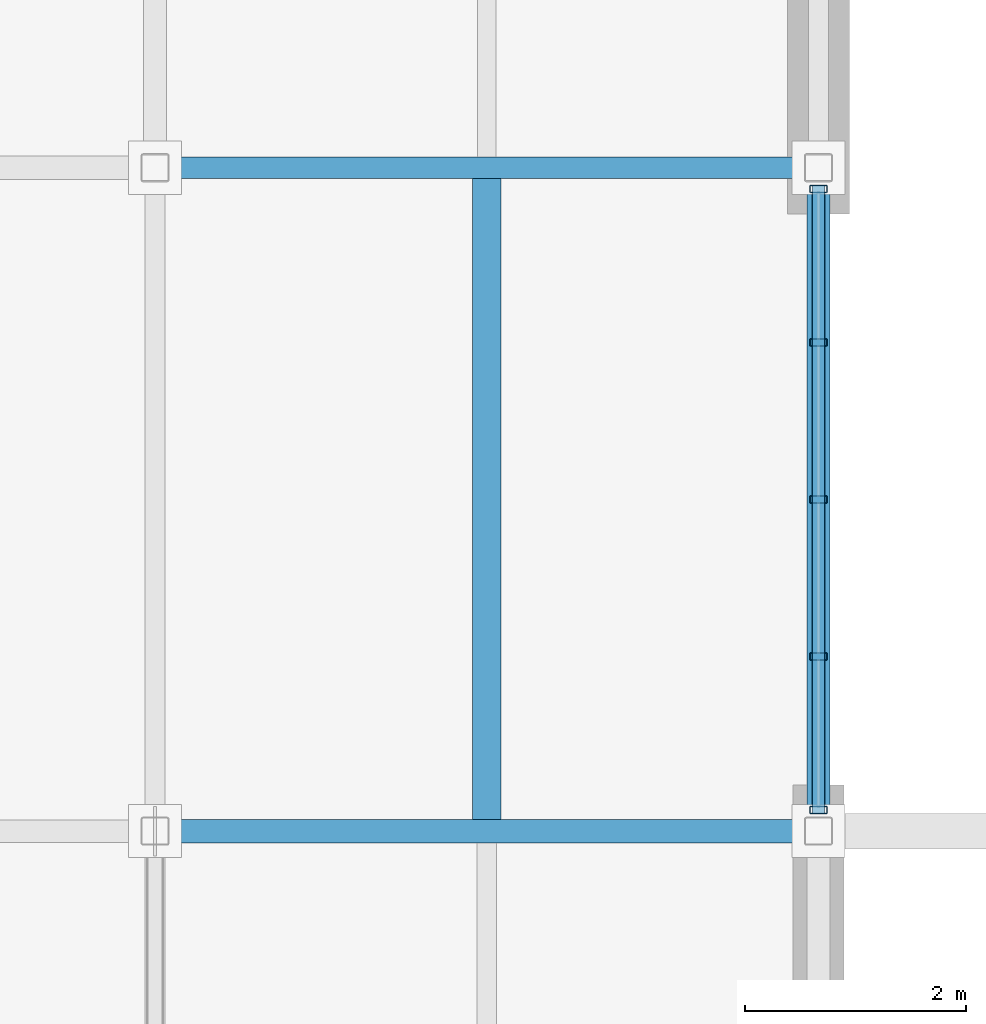
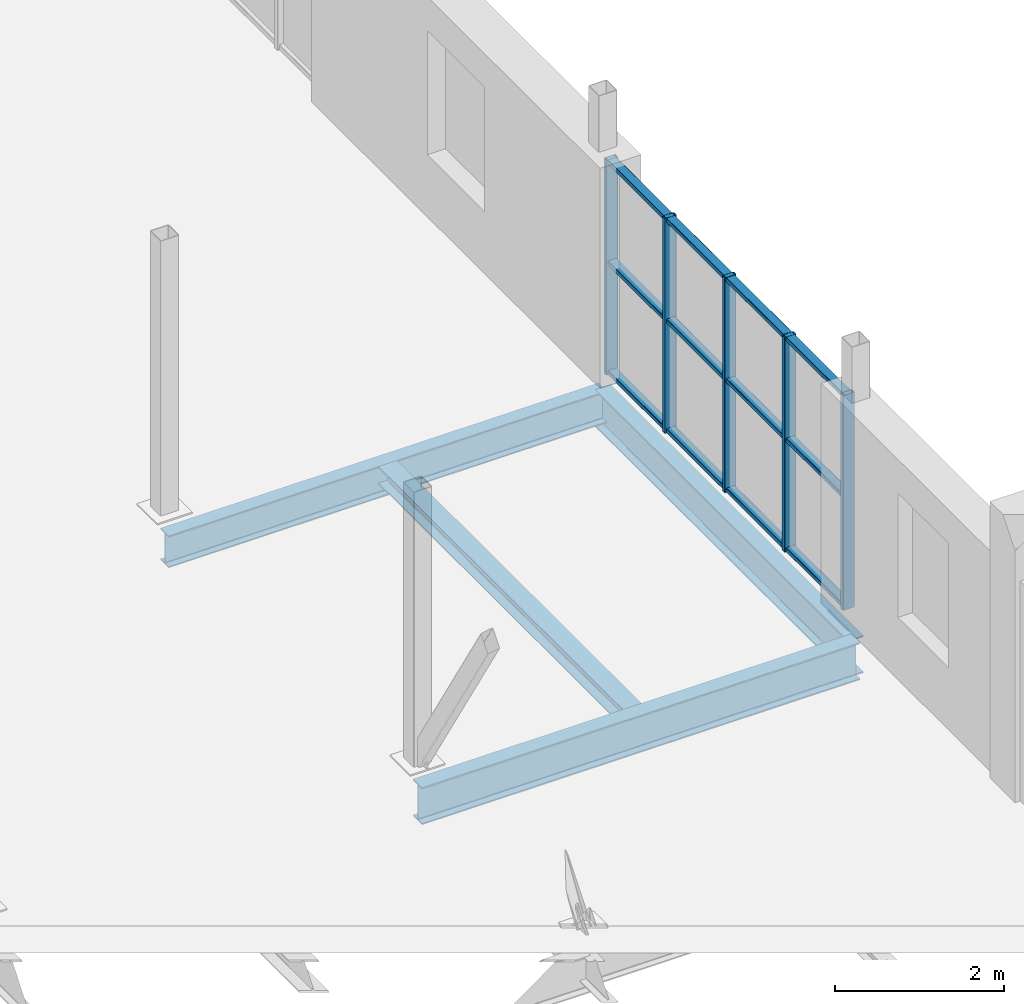
# One storey, part 25 of 96: 8 members, 4 beams, 1 element without a shape of its own.
"""IFC4 building model written with IfcOpenShell, lengths in metres."""

from ifc_helpers import new_model, si_unit, direction, frame, origin, origin_2d, place, context, subcontext, project, spatial, hollow_rectangle, i_section, extrude, material, material_profile, profile_set, type_object, element, aggregate, save


model = new_model("IFC4")

# Units and contexts
model_context = context("Model", 3, precision=1e-05, world=origin(), true_north=direction((0.0, 1.0)))
body_context = subcontext(model_context, "Body", "Model", "MODEL_VIEW")
ifc_project = project(units=[si_unit("LENGTHUNIT", "METRE"), si_unit("AREAUNIT", "SQUARE_METRE"), si_unit("VOLUMEUNIT", "CUBIC_METRE"), si_unit("PLANEANGLEUNIT", "RADIAN"), si_unit("MASSUNIT", "GRAM", prefix="KILO")], contexts=[model_context])

# Site, building, storey
site_placement = place(None, origin())
site = spatial("IfcSite", under=ifc_project, at=site_placement, CompositionType="ELEMENT")
building_placement = place(site_placement, origin())
building = spatial("IfcBuilding", under=site, at=building_placement, Name="Verrall Gate Interchange", CompositionType="ELEMENT")
storey_placement = place(building_placement, frame((0.0, 0.0, 11.39990234375)))
storey = spatial("IfcBuildingStorey", under=building, at=storey_placement, Name="L03", CompositionType="ELEMENT", Elevation=11.39990234375)

# Beams
ifc_material_1 = material(Name="Structural Steel CSA G40.21 350W", Category="steel")
ifc_material_profile_1 = material_profile(ifc_material_1, i_section(OverallWidth=0.2109375, OverallDepth=0.5390625, WebThickness=0.01171875, FlangeThickness=0.018798828125, FilletRadius=0.013916015625, at=origin_2d()), Name="W530x109")
ifc_profile_set_1 = profile_set([ifc_material_profile_1], Name="Structural Steel CSA G40.21 350W")
beam_type_1 = type_object("IfcBeamType", Name="B-10 Structural Beam W530x109", PredefinedType="BEAM", material=ifc_profile_set_1)
for number, where, z_axis, x_axis, name in (
    (1, (30.0, 16.0, -0.599365234375), (1.0, 0.0, 0.0), (0.0, 1.0, 0.0), "L03 Girder BM-L03-2030 (B-10)"),
    (2, (36.0, 16.0, -0.599365234375), (0.0, 1.0, 0.0), (-1.0, 0.0, 0.0), "L03 Girder BM-L03-2261 (B-10)"),
):
    element("IfcBeam", number, at=place(storey_placement, frame(where, z_axis=z_axis, x_axis=x_axis)), inside=storey, type_object=beam_type_1, Name=name, PredefinedType="BEAM", context=body_context, shape_type="SweptSolid", body=[
        extrude(i_section(OverallWidth=0.2109375, OverallDepth=0.5390625, WebThickness=0.01171875, FlangeThickness=0.018798828125, FilletRadius=0.013916015625, at=origin_2d()), origin(), (0.0, 0.0, 1.0), 6.0),
    ])
ifc_material_2 = material(Name="Structural Steel CSA G40.21 350W", Category="steel")
ifc_material_profile_2 = material_profile(ifc_material_2, i_section(OverallWidth=0.19189453125, OverallDepth=0.462890625, WebThickness=0.010498046875, FlangeThickness=0.017578125, FilletRadius=0.012939453125, at=origin_2d()), Name="W460x89")
ifc_profile_set_2 = profile_set([ifc_material_profile_2], Name="Structural Steel CSA G40.21 350W")
beam_type_2 = type_object("IfcBeamType", Name="B-11 Structural Beam W460x89", PredefinedType="BEAM", material=ifc_profile_set_2)
beam_1_placement = place(storey_placement, frame((30.0, 22.0, -0.5615234375), z_axis=(1.0, 0.0, 0.0), x_axis=(0.0, 1.0, 0.0)))
element("IfcBeam", 3, at=beam_1_placement, inside=storey, type_object=beam_type_2, Name="L03 Girder BM-L03-2049 (B-11)", PredefinedType="BEAM", context=body_context, shape_type="SweptSolid", body=[
    extrude(i_section(OverallWidth=0.19189453125, OverallDepth=0.462890625, WebThickness=0.010498046875, FlangeThickness=0.017578125, FilletRadius=0.012939453125, at=origin_2d()), origin(), (0.0, 0.0, 1.0), 6.0),
])

# Curtain wall, members
ifc_material_3 = material(Name="Thermally Broken Anodized Aluminium Curtain Wall Framing", Category="aluminium")
curtain_wall_type = type_object("IfcCurtainWallType", Name="CW-31 Unitized Curtain Wall 5682x3110", PredefinedType="NOTDEFINED", material=ifc_material_3)
curtain_wall_placement = place(storey_placement, origin())
curtain_wall = element("IfcCurtainWall", 4, at=curtain_wall_placement, inside=storey, type_object=curtain_wall_type, Name="L03 Unitized Curtain Wall CW-L03-104", PredefinedType="NOTDEFINED")
ifc_material_4 = material(Name="Thermally Broken Anodized Aluminium Curtain Wall Framing", Category="aluminium")
ifc_material_profile_3 = material_profile(ifc_material_4, hollow_rectangle(XDim=0.06494140625, YDim=0.159912109375, WallThickness=0.00390625, InnerFilletRadius=0.00390625, OuterFilletRadius=0.008056640625, at=origin_2d()), Name="CWM160x65x4")
ifc_profile_set_3 = profile_set([ifc_material_profile_3], Name="Thermally Broken Anodized Aluminium Curtain Wall Framing")
member_type_1 = type_object("IfcMemberType", Name="CM-01 Curtain Mullion CWM160x65x4", PredefinedType="MULLION", material=ifc_profile_set_3)
member_1_placement = place(storey_placement, frame((36.0, 16.19140625, 0.0), z_axis=(0.0, 0.0, 1.0), x_axis=(0.0, 1.0, 0.0)))
member_1 = element("IfcMember", 5, at=member_1_placement, type_object=member_type_1, Name="CW-L03-104 Mullion 1", PredefinedType="MULLION", context=body_context, shape_type="SweptSolid", body=[
    extrude(hollow_rectangle(XDim=0.06494140625, YDim=0.159912109375, WallThickness=0.00390625, InnerFilletRadius=0.00390625, OuterFilletRadius=0.008056640625, at=origin_2d()), origin(), (0.0, 0.0, 1.0), 3.110107421875),
])
member_2_placement = place(storey_placement, frame((36.0, 17.57958984375, 0.0), z_axis=(0.0, 0.0, 1.0), x_axis=(0.0, 1.0, 0.0)))
member_2 = element("IfcMember", 6, at=member_2_placement, type_object=member_type_1, Name="CW-L03-104 Mullion 2", PredefinedType="MULLION", context=body_context, shape_type="SweptSolid", body=[
    extrude(hollow_rectangle(XDim=0.06494140625, YDim=0.159912109375, WallThickness=0.00390625, InnerFilletRadius=0.00390625, OuterFilletRadius=0.008056640625, at=origin_2d()), origin(), (0.0, 0.0, 1.0), 3.110107421875),
])
member_3_placement = place(storey_placement, frame((36.0, 19.0, 0.0), z_axis=(0.0, 0.0, 1.0), x_axis=(0.0, 1.0, 0.0)))
member_3 = element("IfcMember", 7, at=member_3_placement, type_object=member_type_1, Name="CW-L03-104 Mullion 3", PredefinedType="MULLION", context=body_context, shape_type="SweptSolid", body=[
    extrude(hollow_rectangle(XDim=0.06494140625, YDim=0.159912109375, WallThickness=0.00390625, InnerFilletRadius=0.00390625, OuterFilletRadius=0.008056640625, at=origin_2d()), origin(), (0.0, 0.0, 1.0), 3.110107421875),
])
member_4_placement = place(storey_placement, frame((36.0, 20.42041015625, 0.0), z_axis=(0.0, 0.0, 1.0), x_axis=(0.0, 1.0, 0.0)))
member_4 = element("IfcMember", 8, at=member_4_placement, type_object=member_type_1, Name="CW-L03-104 Mullion 4", PredefinedType="MULLION", context=body_context, shape_type="SweptSolid", body=[
    extrude(hollow_rectangle(XDim=0.06494140625, YDim=0.159912109375, WallThickness=0.00390625, InnerFilletRadius=0.00390625, OuterFilletRadius=0.008056640625, at=origin_2d()), origin(), (0.0, 0.0, 1.0), 3.110107421875),
])
member_5_placement = place(storey_placement, frame((36.0, 21.80859375, 0.0), z_axis=(0.0, 0.0, 1.0), x_axis=(0.0, 1.0, 0.0)))
member_5 = element("IfcMember", 9, at=member_5_placement, type_object=member_type_1, Name="CW-L03-104 Mullion 5", PredefinedType="MULLION", context=body_context, shape_type="SweptSolid", body=[
    extrude(hollow_rectangle(XDim=0.06494140625, YDim=0.159912109375, WallThickness=0.00390625, InnerFilletRadius=0.00390625, OuterFilletRadius=0.008056640625, at=origin_2d()), origin(), (0.0, 0.0, 1.0), 3.110107421875),
])
ifc_material_5 = material(Name="Thermally Broken Anodized Aluminium Curtain Wall Framing", Category="aluminium")
ifc_material_profile_4 = material_profile(ifc_material_5, hollow_rectangle(XDim=0.1201171875, YDim=0.06494140625, WallThickness=0.00390625, InnerFilletRadius=0.00390625, OuterFilletRadius=0.008056640625, at=origin_2d()), Name="CWT120x65x4")
ifc_profile_set_4 = profile_set([ifc_material_profile_4], Name="Thermally Broken Anodized Aluminium Curtain Wall Framing")
member_type_2 = type_object("IfcMemberType", Name="CT-01 Curtain Transom CWT120x65x4", PredefinedType="USERDEFINED", material=ifc_profile_set_4)
member_6_placement = place(storey_placement, frame((36.0, 16.158935546875, 0.03271484375), z_axis=(0.0, 1.0, 0.0), x_axis=(-1.0, 0.0, 0.0)))
member_6 = element("IfcMember", 10, at=member_6_placement, type_object=member_type_2, Name="CW-L03-104 Transom 1", ObjectType="TRANSOM", PredefinedType="USERDEFINED", context=body_context, shape_type="SweptSolid", body=[
    extrude(hollow_rectangle(XDim=0.1201171875, YDim=0.06494140625, WallThickness=0.00390625, InnerFilletRadius=0.00390625, OuterFilletRadius=0.008056640625, at=origin_2d()), origin(), (0.0, 0.0, 1.0), 5.68212890625),
])
member_7_placement = place(storey_placement, frame((36.0, 16.158935546875, 1.6171875), z_axis=(0.0, 1.0, 0.0), x_axis=(-1.0, 0.0, 0.0)))
member_7 = element("IfcMember", 11, at=member_7_placement, type_object=member_type_2, Name="CW-L03-104 Transom 2", ObjectType="TRANSOM", PredefinedType="USERDEFINED", context=body_context, shape_type="SweptSolid", body=[
    extrude(hollow_rectangle(XDim=0.1201171875, YDim=0.06494140625, WallThickness=0.00390625, InnerFilletRadius=0.00390625, OuterFilletRadius=0.008056640625, at=origin_2d()), origin(), (0.0, 0.0, 1.0), 5.68212890625),
])
member_8_placement = place(storey_placement, frame((36.0, 16.158935546875, 3.07763671875), z_axis=(0.0, 1.0, 0.0), x_axis=(-1.0, 0.0, 0.0)))
member_8 = element("IfcMember", 12, at=member_8_placement, type_object=member_type_2, Name="CW-L03-104 Transom 3", ObjectType="TRANSOM", PredefinedType="USERDEFINED", context=body_context, shape_type="SweptSolid", body=[
    extrude(hollow_rectangle(XDim=0.1201171875, YDim=0.06494140625, WallThickness=0.00390625, InnerFilletRadius=0.00390625, OuterFilletRadius=0.008056640625, at=origin_2d()), origin(), (0.0, 0.0, 1.0), 5.68212890625),
])
aggregate(curtain_wall, [member_1, member_2, member_3, member_4, member_5, member_6, member_7, member_8])

# Beam
ifc_material_6 = material(Name="Structural Steel CSA G40.21 350W", Category="steel")
ifc_material_profile_5 = material_profile(ifc_material_6, i_section(OverallWidth=0.25390625, OverallDepth=0.2529296875, WebThickness=0.008544921875, FlangeThickness=0.01416015625, FilletRadius=0.011962890625, at=origin_2d()), Name="W250x73")
ifc_profile_set_5 = profile_set([ifc_material_profile_5], Name="Structural Steel CSA G40.21 350W")
beam_type_3 = type_object("IfcBeamType", Name="J-05 Floor Joist W250x73", PredefinedType="JOIST", material=ifc_profile_set_5)
beam_2_placement = place(storey_placement, frame((33.0, 16.10546875, -0.456298828125), z_axis=(0.0, 1.0, 0.0), x_axis=(-1.0, 0.0, 0.0)))
element("IfcBeam", 13, at=beam_2_placement, inside=storey, type_object=beam_type_3, Name="L03 Secondary Floor Joist JST-L03-2426", PredefinedType="JOIST", context=body_context, shape_type="SweptSolid", body=[
    extrude(i_section(OverallWidth=0.25390625, OverallDepth=0.2529296875, WebThickness=0.008544921875, FlangeThickness=0.01416015625, FilletRadius=0.011962890625, at=origin_2d()), origin(), (0.0, 0.0, 1.0), 5.798583984375),
])

save(model, "model.ifc")
